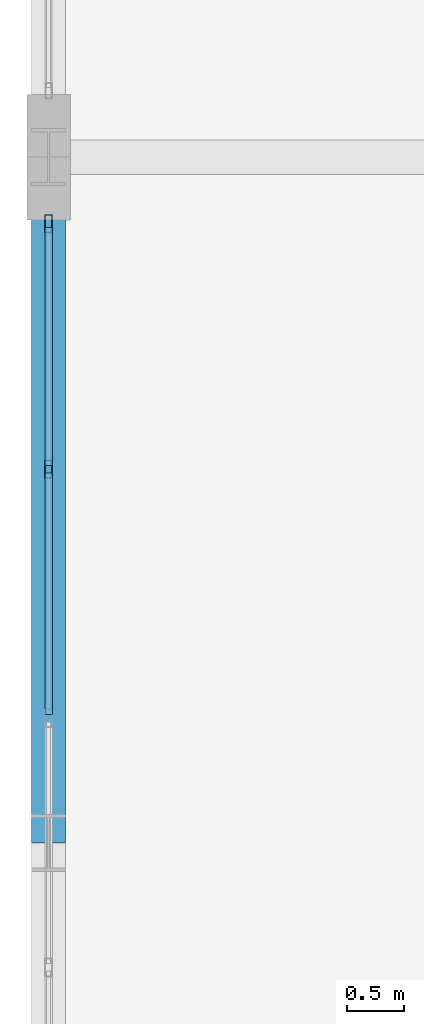
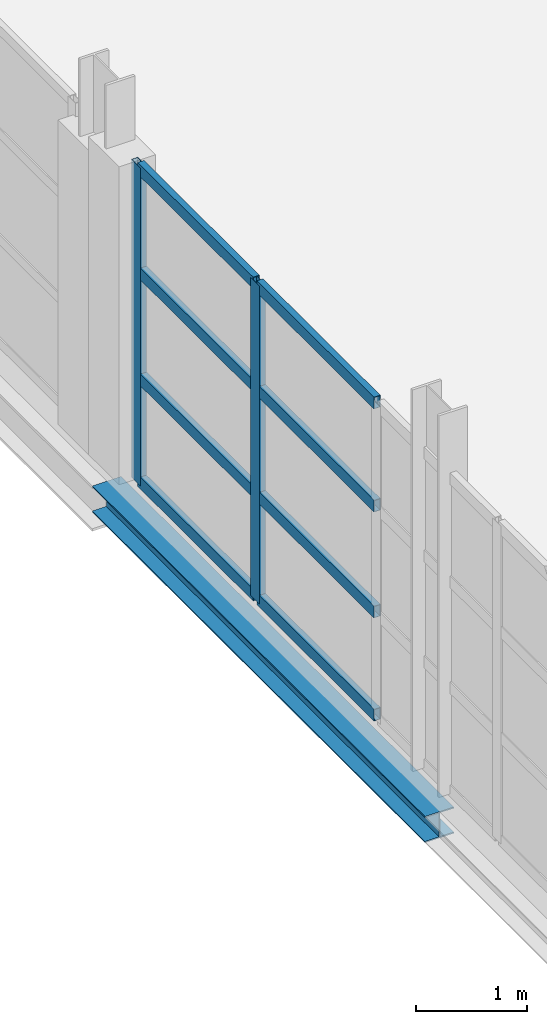
# One storey, part 30 of 158: 10 members, 1 beam, 1 element without a shape of its own.
"""IFC4 building model written with IfcOpenShell, lengths in metres."""

from ifc_helpers import new_model, si_unit, direction, frame, origin, origin_2d, place, context, subcontext, project, spatial, hollow_rectangle, i_section, extrude, material, layer, layer_set, material_profile, profile_set, type_object, element, aggregate, save


model = new_model("IFC4")

# Units and contexts
model_context = context("Model", 3, precision=1e-05, world=origin(), true_north=direction((0.0, 1.0)))
body_context = subcontext(model_context, "Body", "Model", "MODEL_VIEW")
ifc_project = project(units=[si_unit("LENGTHUNIT", "METRE"), si_unit("AREAUNIT", "SQUARE_METRE"), si_unit("VOLUMEUNIT", "CUBIC_METRE"), si_unit("PLANEANGLEUNIT", "RADIAN"), si_unit("MASSUNIT", "GRAM", prefix="KILO")], contexts=[model_context])

# Site, building, storey
site_placement = place(None, origin())
site = spatial("IfcSite", under=ifc_project, at=site_placement, CompositionType="ELEMENT")
building_placement = place(site_placement, origin())
building = spatial("IfcBuilding", under=site, at=building_placement, Name="Zilviju Railside Exhibition Hall", CompositionType="ELEMENT")
storey_placement = place(building_placement, frame((0.0, 0.0, 4.199951171875)))
storey = spatial("IfcBuildingStorey", under=building, at=storey_placement, Name="L02", CompositionType="ELEMENT", Elevation=4.199951171875)

# Beam
ifc_material_1 = material(Name="Steel S355J2", Category="steel")
ifc_material_profile_1 = material_profile(ifc_material_1, i_section(OverallWidth=0.300048828125, OverallDepth=0.2900390625, WebThickness=0.008544921875, FlangeThickness=0.013916015625, at=origin_2d()), Name="HEA 300")
ifc_profile_set_1 = profile_set([ifc_material_profile_1], Name="Steel S355J2")
beam_type = type_object("IfcBeamType", Name="BM-HEA300", PredefinedType="SPANDREL", material=ifc_profile_set_1)
beam_placement = place(storey_placement, frame((0.0, 42.0, -0.5048828125), z_axis=(0.0, 1.0, 0.0), x_axis=(-1.0, 0.0, 0.0)))
element("IfcBeam", 1, at=beam_placement, inside=storey, type_object=beam_type, Name="Transverse Girder L02 X=0.0 (42.0..48.0)", PredefinedType="SPANDREL", context=body_context, shape_type="SweptSolid", body=[
    extrude(i_section(OverallWidth=0.300048828125, OverallDepth=0.2900390625, WebThickness=0.008544921875, FlangeThickness=0.013916015625, at=origin_2d()), origin(), (0.0, 0.0, 1.0), 6.0),
])

# Curtain wall, members
ifc_material_2 = material(Name="Thermally broken aluminium-steel triple-glazed curtain wall", Category="steel")
ifc_layer = layer(ifc_material_2, 0.179931640625)
ifc_layer_set = layer_set([ifc_layer], Name="Thermally broken aluminium-steel triple-glazed curtain wall")
curtain_wall_type = type_object("IfcCurtainWallType", Name="CW-BAY-18", PredefinedType="USERDEFINED", material=ifc_layer_set)
curtain_wall_placement = place(storey_placement, origin())
curtain_wall = element("IfcCurtainWall", 2, at=curtain_wall_placement, inside=storey, type_object=curtain_wall_type, Name="Congress Crush Foyer Boulevard Curtain Wall L02 (36..48)", ObjectType="GLAZED CURTAIN WALL", PredefinedType="USERDEFINED")
ifc_material_3 = material(Name="Thermally broken anodized aluminium mullion", Category="aluminium")
ifc_material_profile_2 = material_profile(ifc_material_3, hollow_rectangle(XDim=0.06494140625, YDim=0.159912109375, WallThickness=0.0048828125, at=origin_2d()), Name="MULLION 160x65x5")
ifc_profile_set_2 = profile_set([ifc_material_profile_2], Name="Thermally broken anodized aluminium mullion")
member_type_1 = type_object("IfcMemberType", Name="CWM-65x160", PredefinedType="MULLION", material=ifc_profile_set_2)
member_1_placement = place(storey_placement, frame((0.0, 45.27001953125, 0.0), z_axis=(0.0, 0.0, 1.0), x_axis=(-1.0, 0.0, 0.0)))
member_1 = element("IfcMember", 3, at=member_1_placement, type_object=member_type_1, Name="CW-18 mullion 5", PredefinedType="MULLION", context=body_context, shape_type="SweptSolid", body=[
    extrude(hollow_rectangle(XDim=0.06494140625, YDim=0.159912109375, WallThickness=0.0048828125, at=origin_2d()), origin(), (0.0, 0.0, 1.0), 3.5),
])
member_2_placement = place(storey_placement, frame((0.0, 47.41748046875, 0.0), z_axis=(0.0, 0.0, 1.0), x_axis=(-1.0, 0.0, 0.0)))
member_2 = element("IfcMember", 4, at=member_2_placement, type_object=member_type_1, Name="CW-18 mullion 6", PredefinedType="MULLION", context=body_context, shape_type="SweptSolid", body=[
    extrude(hollow_rectangle(XDim=0.06494140625, YDim=0.159912109375, WallThickness=0.0048828125, at=origin_2d()), origin(), (0.0, 0.0, 1.0), 3.5),
])
ifc_material_4 = material(Name="Thermally broken anodized aluminium transom", Category="aluminium")
ifc_material_profile_3 = material_profile(ifc_material_4, hollow_rectangle(XDim=0.06494140625, YDim=0.1298828125, WallThickness=0.0048828125, at=origin_2d()), Name="TRANSOM 130x65x5")
ifc_profile_set_3 = profile_set([ifc_material_profile_3], Name="Thermally broken anodized aluminium transom")
member_type_2 = type_object("IfcMemberType", Name="CWT-65x130", PredefinedType="USERDEFINED", material=ifc_profile_set_3)
member_3_placement = place(storey_placement, frame((0.0, 43.12255859375, 0.032470703125), z_axis=(0.0, 1.0, 0.0), x_axis=(-1.0, 0.0, 0.0)))
member_3 = element("IfcMember", 5, at=member_3_placement, type_object=member_type_2, Name="CW-18 transom 4.1", ObjectType="TRANSOM", PredefinedType="USERDEFINED", context=body_context, shape_type="SweptSolid", body=[
    extrude(hollow_rectangle(XDim=0.06494140625, YDim=0.1298828125, WallThickness=0.0048828125, at=origin_2d()), origin(), (0.0, 0.0, 1.0), 2.114990234375),
])
member_4_placement = place(storey_placement, frame((0.0, 43.12255859375, 1.1669921875), z_axis=(0.0, 1.0, 0.0), x_axis=(-1.0, 0.0, 0.0)))
member_4 = element("IfcMember", 6, at=member_4_placement, type_object=member_type_2, Name="CW-18 transom 4.2", ObjectType="TRANSOM", PredefinedType="USERDEFINED", context=body_context, shape_type="SweptSolid", body=[
    extrude(hollow_rectangle(XDim=0.06494140625, YDim=0.1298828125, WallThickness=0.0048828125, at=origin_2d()), origin(), (0.0, 0.0, 1.0), 2.114990234375),
])
member_5_placement = place(storey_placement, frame((0.0, 43.12255859375, 2.3330078125), z_axis=(0.0, 1.0, 0.0), x_axis=(-1.0, 0.0, 0.0)))
member_5 = element("IfcMember", 7, at=member_5_placement, type_object=member_type_2, Name="CW-18 transom 4.3", ObjectType="TRANSOM", PredefinedType="USERDEFINED", context=body_context, shape_type="SweptSolid", body=[
    extrude(hollow_rectangle(XDim=0.06494140625, YDim=0.1298828125, WallThickness=0.0048828125, at=origin_2d()), origin(), (0.0, 0.0, 1.0), 2.114990234375),
])
member_6_placement = place(storey_placement, frame((0.0, 43.12255859375, 3.467529296875), z_axis=(0.0, 1.0, 0.0), x_axis=(-1.0, 0.0, 0.0)))
member_6 = element("IfcMember", 8, at=member_6_placement, type_object=member_type_2, Name="CW-18 transom 4.4", ObjectType="TRANSOM", PredefinedType="USERDEFINED", context=body_context, shape_type="SweptSolid", body=[
    extrude(hollow_rectangle(XDim=0.06494140625, YDim=0.1298828125, WallThickness=0.0048828125, at=origin_2d()), origin(), (0.0, 0.0, 1.0), 2.114990234375),
])
member_7_placement = place(storey_placement, frame((0.0, 45.302490234375, 0.032470703125), z_axis=(0.0, 1.0, 0.0), x_axis=(-1.0, 0.0, 0.0)))
member_7 = element("IfcMember", 9, at=member_7_placement, type_object=member_type_2, Name="CW-18 transom 5.1", ObjectType="TRANSOM", PredefinedType="USERDEFINED", context=body_context, shape_type="SweptSolid", body=[
    extrude(hollow_rectangle(XDim=0.06494140625, YDim=0.1298828125, WallThickness=0.0048828125, at=origin_2d()), origin(), (0.0, 0.0, 1.0), 2.08251953125),
])
member_8_placement = place(storey_placement, frame((0.0, 45.302490234375, 1.1669921875), z_axis=(0.0, 1.0, 0.0), x_axis=(-1.0, 0.0, 0.0)))
member_8 = element("IfcMember", 10, at=member_8_placement, type_object=member_type_2, Name="CW-18 transom 5.2", ObjectType="TRANSOM", PredefinedType="USERDEFINED", context=body_context, shape_type="SweptSolid", body=[
    extrude(hollow_rectangle(XDim=0.06494140625, YDim=0.1298828125, WallThickness=0.0048828125, at=origin_2d()), origin(), (0.0, 0.0, 1.0), 2.08251953125),
])
member_9_placement = place(storey_placement, frame((0.0, 45.302490234375, 2.3330078125), z_axis=(0.0, 1.0, 0.0), x_axis=(-1.0, 0.0, 0.0)))
member_9 = element("IfcMember", 11, at=member_9_placement, type_object=member_type_2, Name="CW-18 transom 5.3", ObjectType="TRANSOM", PredefinedType="USERDEFINED", context=body_context, shape_type="SweptSolid", body=[
    extrude(hollow_rectangle(XDim=0.06494140625, YDim=0.1298828125, WallThickness=0.0048828125, at=origin_2d()), origin(), (0.0, 0.0, 1.0), 2.08251953125),
])
member_10_placement = place(storey_placement, frame((0.0, 45.302490234375, 3.467529296875), z_axis=(0.0, 1.0, 0.0), x_axis=(-1.0, 0.0, 0.0)))
member_10 = element("IfcMember", 12, at=member_10_placement, type_object=member_type_2, Name="CW-18 transom 5.4", ObjectType="TRANSOM", PredefinedType="USERDEFINED", context=body_context, shape_type="SweptSolid", body=[
    extrude(hollow_rectangle(XDim=0.06494140625, YDim=0.1298828125, WallThickness=0.0048828125, at=origin_2d()), origin(), (0.0, 0.0, 1.0), 2.08251953125),
])
aggregate(curtain_wall, [member_1, member_2, member_3, member_4, member_5, member_6, member_7, member_8, member_9, member_10])

save(model, "model.ifc")
